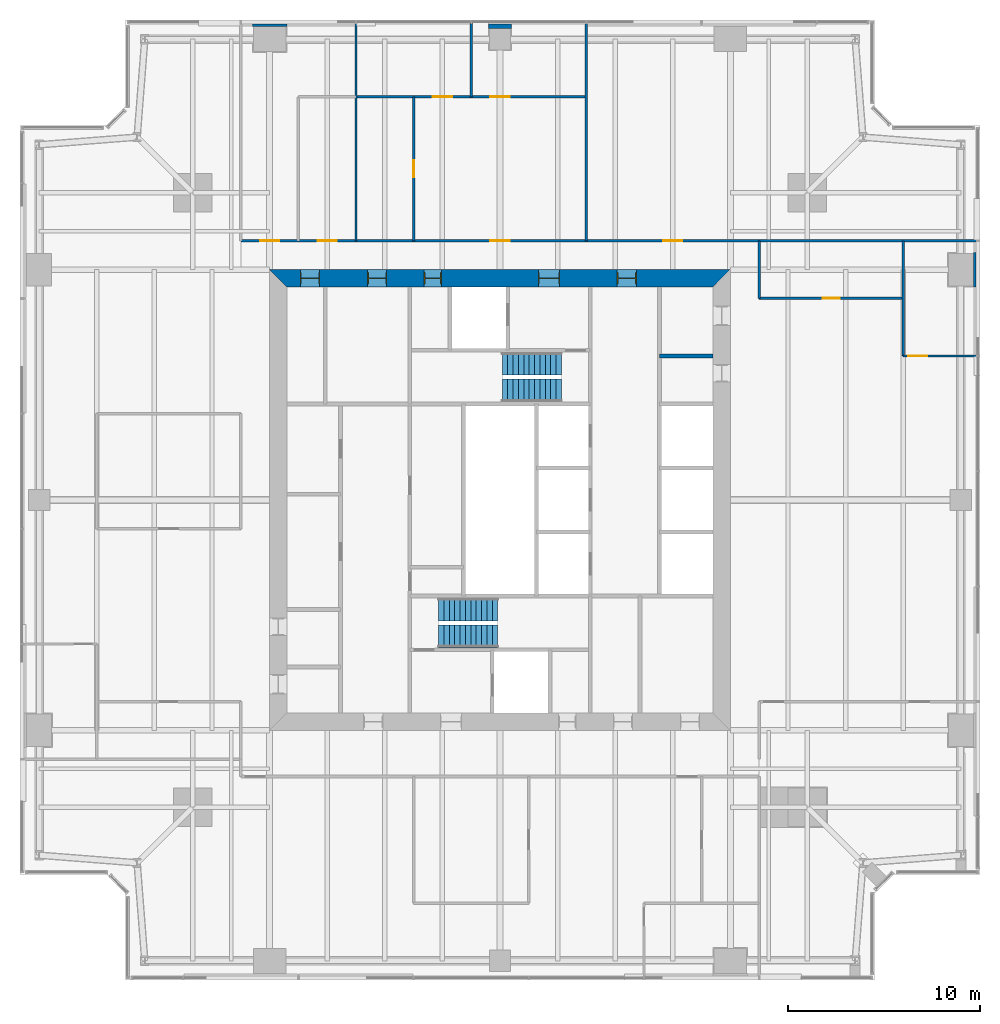
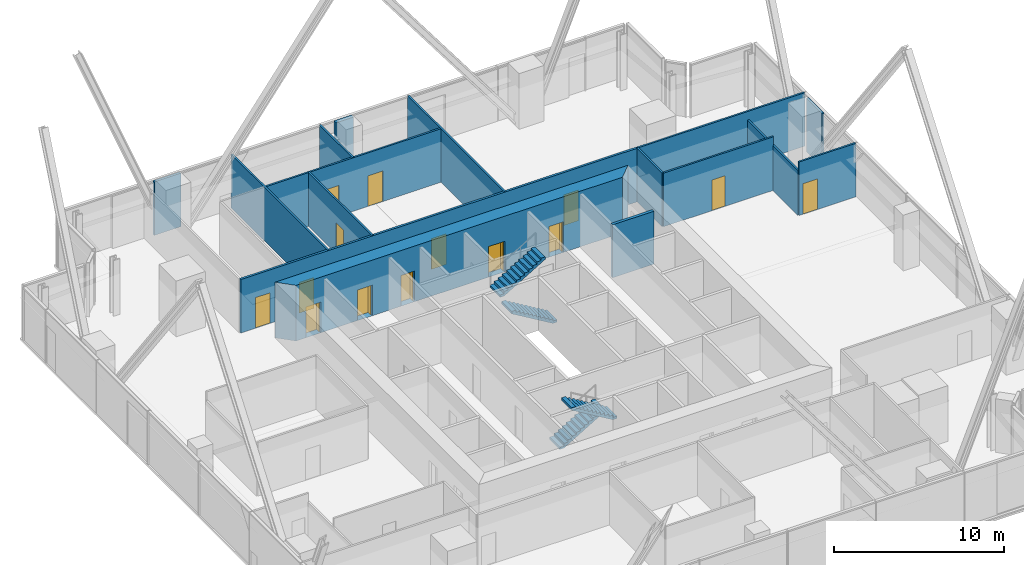
# One storey, part 11 of 13: 16 walls, 14 doors, 4 stair flights, 14 openings, 2 elements without a shape of their own.
"""IFC4 building model written with IfcOpenShell, lengths in metres."""

import ifcopenshell
import ifcopenshell.guid

model = None  # the IFC model being written
_history = None  # IfcOwnerHistory: only IFC2X3 demands one
_inside = {}  # id of a spatial element -> (the spatial element, [elements in it])
_under = {}  # id of a project, library or spatial element -> (it, [spatial elements below it])
_declared = {}  # id of a project -> (the project, [libraries it declares])
_typed = {}  # id of a type object -> (the type object, [elements of that type])
_made_of = {}  # id of a material, layer set ... -> (it, [elements and type objects made of it])


def new_model(schema):
    """Start an empty IFC model of exactly this schema.

    Asked for "IFC4X3", IfcOpenShell would pick the latest addendum, in which some entities
    have other attributes; the version numbers below select the first issue.
    IFC2X3 requires an IfcOwnerHistory on every rooted entity: one is made here for all.
    """
    global model, _history
    if schema == "IFC4X3":
        model = ifcopenshell.file(schema_version=(4, 3, 0, 0))
    else:
        model = ifcopenshell.file(schema=schema)
    _inside.clear()
    _under.clear()
    _declared.clear()
    _typed.clear()
    _made_of.clear()
    _history = None
    if model.schema == "IFC2X3":
        org = make("IfcOrganization", Name="unknown")
        user = make(
            "IfcPersonAndOrganization",
            ThePerson=make("IfcPerson", FamilyName="unknown"),
            TheOrganization=org,
        )
        app = make(
            "IfcApplication",
            ApplicationDeveloper=org,
            Version="unknown",
            ApplicationFullName="unknown",
            ApplicationIdentifier="unknown",
        )
        _history = make(
            "IfcOwnerHistory",
            OwningUser=user,
            OwningApplication=app,
            ChangeAction="ADDED",
            CreationDate=0,
        )
    return model


def make(cls, **values):
    """One entity of the class cls with the attributes given. An attribute that is None is left unset."""
    return model.create_entity(
        cls, **{name: value for name, value in values.items() if value is not None}
    )


def rooted(cls, **values):
    """An entity with a GlobalId (a new one), such as an element, a storey or a relation."""
    return make(cls, GlobalId=ifcopenshell.guid.new(), OwnerHistory=_history, **values)


def si_unit(unit_type, name, prefix=None):
    """IfcSIUnit, for example si_unit("LENGTHUNIT", "METRE", prefix="MILLI")."""
    return make("IfcSIUnit", UnitType=unit_type, Prefix=prefix, Name=name)


def assignment(units):
    """IfcUnitAssignment: the units of a project."""
    return None if units is None else make("IfcUnitAssignment", Units=units)


def point(xyz):
    """IfcCartesianPoint."""
    return None if xyz is None else make("IfcCartesianPoint", Coordinates=xyz)


def direction(xyz):
    """IfcDirection."""
    return None if xyz is None else make("IfcDirection", DirectionRatios=xyz)


def frame(location, z_axis=None, x_axis=None):
    """IfcAxis2Placement3D, a coordinate frame: its origin and axes. An axis left out is left unset."""
    return make(
        "IfcAxis2Placement3D",
        Location=point(location),
        Axis=direction(z_axis),
        RefDirection=direction(x_axis),
    )


def frame_2d(location, x_axis=None):
    """IfcAxis2Placement2D, a coordinate frame in the plane: its origin and x axis."""
    return make(
        "IfcAxis2Placement2D", Location=point(location), RefDirection=direction(x_axis)
    )


def origin():
    """The frame at (0, 0, 0) with its axes left unset."""
    return frame((0.0, 0.0, 0.0))


def place(relative_to, where):
    """IfcLocalPlacement: puts the frame where relative to a parent placement (None: the world)."""
    return make(
        "IfcLocalPlacement", PlacementRelTo=relative_to, RelativePlacement=where
    )


def context(
    kind, dimensions, precision=None, world=None, true_north=None, identifier=None
):
    """IfcGeometricRepresentationContext, for example the 3D "Model" context."""
    return make(
        "IfcGeometricRepresentationContext",
        ContextIdentifier=identifier,
        ContextType=kind,
        CoordinateSpaceDimension=dimensions,
        Precision=precision,
        WorldCoordinateSystem=world,
        TrueNorth=true_north,
    )


def subcontext(parent, identifier, kind, view, scale=None):
    """IfcGeometricRepresentationSubContext, for example "Body" below "Model"."""
    return make(
        "IfcGeometricRepresentationSubContext",
        ContextIdentifier=identifier,
        ContextType=kind,
        ParentContext=parent,
        TargetScale=scale,
        TargetView=view,
    )


def project(units=None, contexts=None):
    """IfcProject with its units and contexts."""
    return rooted(
        "IfcProject",
        Name="project",
        RepresentationContexts=contexts,
        UnitsInContext=assignment(units),
    )


def spatial(cls, under=None, at=None, **own):
    """A site, building, storey or space (cls), placed at a placement, below another one or the project."""
    s = rooted(cls, ObjectPlacement=at, **own)
    if under is not None:
        _under.setdefault(under.id(), (under, []))[1].append(s)
    return s


def polyline(points):
    """IfcPolyline through the points."""
    return make("IfcPolyline", Points=[point(p) for p in points])


def profile(cls, at=None, kind="AREA", **sizes):
    """A parametric profile (cls). Its sizes go by their IFC names, for example OverallWidth=200.0."""
    return make(cls, ProfileType=kind, Position=at, **sizes)


def rectangle(**sizes):
    """IfcRectangleProfileDef."""
    return profile("IfcRectangleProfileDef", **sizes)


def outline(outer, holes=None, kind="AREA"):
    """IfcArbitraryClosedProfileDef: a profile drawn as a closed curve; with holes, ...WithVoids."""
    if holes is None:
        return make("IfcArbitraryClosedProfileDef", ProfileType=kind, OuterCurve=outer)
    return make(
        "IfcArbitraryProfileDefWithVoids",
        ProfileType=kind,
        OuterCurve=outer,
        InnerCurves=holes,
    )


def extrude(swept, where, along, depth):
    """IfcExtrudedAreaSolid: the profile swept, set in the frame where, extruded along a direction by depth."""
    return make(
        "IfcExtrudedAreaSolid",
        SweptArea=swept,
        Position=where,
        ExtrudedDirection=direction(along),
        Depth=depth,
    )


def shape(context_of_items, identifier, shape_type, items):
    """IfcShapeRepresentation: the items that make up one representation, for example the "Body"."""
    return make(
        "IfcShapeRepresentation",
        ContextOfItems=context_of_items,
        RepresentationIdentifier=identifier,
        RepresentationType=shape_type,
        Items=items,
    )


def material(Name=None, Category=None):
    """IfcMaterial."""
    return make("IfcMaterial", Name=Name, Category=Category)


def layer(
    of_material, thickness, ventilated=None, Name=None, Category=None, Priority=None
):
    """IfcMaterialLayer: one layer of a wall or slab, of a material (None: an air gap)."""
    return make(
        "IfcMaterialLayer",
        Material=of_material,
        LayerThickness=thickness,
        IsVentilated=ventilated,
        Name=Name,
        Category=Category,
        Priority=Priority,
    )


def layer_set(layers, Name=None):
    """IfcMaterialLayerSet."""
    return make("IfcMaterialLayerSet", MaterialLayers=layers, LayerSetName=Name)


def made_of(thing, what):
    """Note that an element or type object is made of a material, layer set ...; save() writes the relation."""
    if what is not None:
        _made_of.setdefault(what.id(), (what, []))[1].append(thing)
    return thing


def type_object(cls, material=None, **own):
    """A type object (cls), such as IfcWallType, which elements share."""
    return made_of(rooted(cls, **own), material)


def element(
    cls,
    number,
    at=None,
    inside=None,
    cuts=None,
    type_object=None,
    material=None,
    context=None,
    identifier="Body",
    shape_type=None,
    held_by="IfcProductDefinitionShape",
    body=None,
    shapes=None,
    **own,
):
    """One element of the class cls, such as IfcWall. Its Tag is "e" and its number.

    at: its placement. inside: the storey or other place that contains it. cuts: it is an
    opening in that element (IfcRelVoidsElement). A single representation is given by context,
    identifier, shape_type and body (its items); several are given by shapes. held_by: the class
    of the entity that holds the representations. save() writes the other relations.
    """
    e = rooted(cls, Tag="e%d" % number, ObjectPlacement=at, **own)
    if body is not None:
        shapes = [shape(context, identifier, shape_type, body)]
    if shapes is not None:
        e.Representation = make(held_by, Representations=shapes)
    if inside is not None:
        _inside.setdefault(inside.id(), (inside, []))[1].append(e)
    if cuts is not None:
        rooted(
            "IfcRelVoidsElement", RelatingBuildingElement=cuts, RelatedOpeningElement=e
        )
    if type_object is not None:
        _typed.setdefault(type_object.id(), (type_object, []))[1].append(e)
    return made_of(e, material)


def fill(opening, filler):
    """IfcRelFillsElement: the door or window that sits in an opening."""
    return rooted(
        "IfcRelFillsElement",
        RelatingOpeningElement=opening,
        RelatedBuildingElement=filler,
    )


def aggregate(whole, parts):
    """IfcRelAggregates: a whole, such as a stair, and the parts it consists of."""
    return rooted("IfcRelAggregates", RelatingObject=whole, RelatedObjects=parts)


def save(model, path):
    """Write the relations noted so far, then the file.

    IfcRelAggregates (storeys below a building ...), IfcRelContainedInSpatialStructure (elements
    in a storey), IfcRelDefinesByType, IfcRelAssociatesMaterial and IfcRelDeclares: one each for
    every whole, place, type object, material and project.
    """
    for whole, parts in _under.values():
        aggregate(whole, parts)
    for where, things in _inside.values():
        rooted(
            "IfcRelContainedInSpatialStructure",
            RelatedElements=things,
            RelatingStructure=where,
        )
    for kind, things in _typed.values():
        rooted("IfcRelDefinesByType", RelatedObjects=things, RelatingType=kind)
    for what, things in _made_of.values():
        rooted("IfcRelAssociatesMaterial", RelatedObjects=things, RelatingMaterial=what)
    for by, libraries in _declared.values():
        rooted("IfcRelDeclares", RelatingContext=by, RelatedDefinitions=libraries)
    model.write(path)


model = new_model("IFC4")

# Units and contexts
model_context = context("Model", 3, precision=1e-05, world=origin(), true_north=direction((0.0, 1.0)))
body_context = subcontext(model_context, "Body", "Model", "MODEL_VIEW")
ifc_project = project(units=[si_unit("LENGTHUNIT", "METRE"), si_unit("AREAUNIT", "SQUARE_METRE"), si_unit("VOLUMEUNIT", "CUBIC_METRE"), si_unit("PLANEANGLEUNIT", "RADIAN"), si_unit("MASSUNIT", "GRAM", prefix="KILO")], contexts=[model_context])

# Site, building, storey
site_placement = place(None, origin())
site = spatial("IfcSite", under=ifc_project, at=site_placement, CompositionType="ELEMENT")
building_placement = place(site_placement, origin())
building = spatial("IfcBuilding", under=site, at=building_placement, Name="Fenwick Lantern Interchange", CompositionType="ELEMENT")
storey_placement = place(building_placement, frame((0.0, 0.0, 201.800048828125)))
storey = spatial("IfcBuildingStorey", under=building, at=storey_placement, Name="L47", CompositionType="ELEMENT", Elevation=201.800048828125)

# Walls
ifc_material_1 = material(Name="Fire-rated gypsum board encasement on steel studs, 2 hour", Category="steel")
ifc_layer_1 = layer(ifc_material_1, 1.199951171875)
ifc_layer_set_1 = layer_set([ifc_layer_1], Name="COLUMN PIER 1200")
wall_type_1 = type_object("IfcWallType", Name="COLUMN PIER 1200", PredefinedType="PARTITIONING", material=ifc_layer_set_1)
wall_1_placement = place(storey_placement, frame((25.0, 49.800048828125, 0.0), z_axis=(0.0, 0.0, 1.0), x_axis=(0.0, -1.0, 0.0)))
element("IfcWall", 1, at=wall_1_placement, inside=storey, type_object=wall_type_1, Name="L47/W/PIER/CN3", PredefinedType="PARTITIONING", context=body_context, shape_type="SweptSolid", body=[
    extrude(rectangle(XDim=0.25, YDim=1.199951171875, at=frame_2d((0.125, 0.0))), origin(), (0.0, 0.0, 1.0), 3.849853515625),
])
ifc_layer_2 = layer(ifc_material_1, 1.800048828125)
ifc_layer_set_2 = layer_set([ifc_layer_2], Name="COLUMN PIER 1800")
wall_type_2 = type_object("IfcWallType", Name="COLUMN PIER 1800", PredefinedType="PARTITIONING", material=ifc_layer_set_2)
for number, where, z_axis, x_axis, name in (
    (2, (49.800048828125, 37.0, 0.0), (0.0, 0.0, 1.0), (-1.0, 0.0, 0.0), "L47/W/PIER/CE4"),
    (3, (13.0, 49.800048828125, 0.0), (0.0, 0.0, 1.0), (0.0, -1.0, 0.0), "L47/W/PIER/CN4"),
):
    element("IfcWall", number, at=place(storey_placement, frame(where, z_axis=z_axis, x_axis=x_axis)), inside=storey, type_object=wall_type_2, Name=name, PredefinedType="PARTITIONING", context=body_context, shape_type="SweptSolid", body=[
        extrude(rectangle(XDim=0.150146484375, YDim=1.800048828125, at=frame_2d((0.0751953125, 0.0))), origin(), (0.0, 0.0, 1.0), 3.849853515625),
    ])
ifc_material_2 = material(Name="Concrete masonry ASTM C90 Grade N", Category="masonry")
ifc_layer_3 = layer(ifc_material_2, 0.199951171875)
ifc_layer_set_3 = layer_set([ifc_layer_3], Name="Concrete masonry ASTM C90 Grade N")
wall_type_3 = type_object("IfcWallType", Name="CORE PARTITION 200", PredefinedType="PARTITIONING", material=ifc_layer_set_3)
wall_2_placement = place(storey_placement, frame((36.10009765625, 32.5, 0.0), z_axis=(0.0, 0.0, 1.0), x_axis=(-1.0, 0.0, 0.0)))
element("IfcWall", 4, at=wall_2_placement, inside=storey, type_object=wall_type_3, Name="L47/W/COREN/p1", PredefinedType="PARTITIONING", context=body_context, shape_type="SweptSolid", body=[
    extrude(rectangle(XDim=2.800048828125, YDim=0.199951171875, at=frame_2d((1.39990234375, 0.0))), origin(), (0.0, 0.0, 1.0), 3.800048828125),
])

# Wall, openings, doors
ifc_material_3 = material(Name="Concrete f'c 70 MPa", Category="concrete")
ifc_layer_4 = layer(ifc_material_3, 0.89990234375)
ifc_layer_set_4 = layer_set([ifc_layer_4], Name="CORE WALL 900")
wall_type_4 = type_object("IfcWallType", Name="CORE WALL 900", PredefinedType="SHEAR", material=ifc_layer_set_4)
wall_3_placement = place(storey_placement, frame((37.0, 36.550048828125, 0.0), z_axis=(0.0, 0.0, 1.0), x_axis=(-1.0, 0.0, 0.0)))
wall_3 = element("IfcWall", 5, at=wall_3_placement, inside=storey, type_object=wall_type_4, Name="L47/CORE/N", PredefinedType="SHEAR", context=body_context, shape_type="SweptSolid", body=[
    extrude(outline(polyline([(0.0, -0.449951171875), (24.0, -0.449951171875), (23.10009765625, 0.449951171875), (0.89990234375, 0.449951171875), (0.0, -0.449951171875)])), origin(), (0.0, 0.0, 1.0), 4.0),
])
opening_1_placement = place(wall_3_placement, frame((4.89990234375, 0.0, 0.0)))
opening_1 = element("IfcOpeningElement", 6, at=opening_1_placement, cuts=wall_3, Name="Opening L47-D013", PredefinedType="OPENING", context=body_context, shape_type="SweptSolid", body=[
    extrude(rectangle(XDim=1.0, YDim=2.199951171875, at=frame_2d((0.5, 1.10009765625))), frame((0.0, 0.4599609375, 0.0), z_axis=(0.0, -1.0, 0.0), x_axis=(1.0, 0.0, 0.0)), (0.0, 0.0, 1.0), 0.919921875),
])
opening_2_placement = place(wall_3_placement, frame((8.89990234375, 0.0, 0.0)))
opening_2 = element("IfcOpeningElement", 7, at=opening_2_placement, cuts=wall_3, Name="Opening L47-D014", PredefinedType="OPENING", context=body_context, shape_type="SweptSolid", body=[
    extrude(rectangle(XDim=1.10009765625, YDim=2.199951171875, at=frame_2d((0.550048828125, 1.10009765625))), frame((0.0, 0.4599609375, 0.0), z_axis=(0.0, -1.0, 0.0), x_axis=(1.0, 0.0, 0.0)), (0.0, 0.0, 1.0), 0.919921875),
])
opening_3_placement = place(wall_3_placement, frame((15.050048828125, 0.0, 0.0)))
opening_3 = element("IfcOpeningElement", 8, at=opening_3_placement, cuts=wall_3, Name="Opening L47-D016", PredefinedType="OPENING", context=body_context, shape_type="SweptSolid", body=[
    extrude(rectangle(XDim=0.89990234375, YDim=2.199951171875, at=frame_2d((0.449951171875, 1.10009765625))), frame((0.0, 0.4599609375, 0.0), z_axis=(0.0, -1.0, 0.0), x_axis=(1.0, 0.0, 0.0)), (0.0, 0.0, 1.0), 0.919921875),
])
opening_4_placement = place(wall_3_placement, frame((17.89990234375, 0.0, 0.0)))
opening_4 = element("IfcOpeningElement", 9, at=opening_4_placement, cuts=wall_3, Name="Opening L47-D017", PredefinedType="OPENING", context=body_context, shape_type="SweptSolid", body=[
    extrude(rectangle(XDim=1.0, YDim=2.199951171875, at=frame_2d((0.5, 1.10009765625))), frame((0.0, 0.4599609375, 0.0), z_axis=(0.0, -1.0, 0.0), x_axis=(1.0, 0.0, 0.0)), (0.0, 0.0, 1.0), 0.919921875),
])
opening_5_placement = place(wall_3_placement, frame((21.39990234375, 0.0, 0.0)))
opening_5 = element("IfcOpeningElement", 10, at=opening_5_placement, cuts=wall_3, Name="Opening L47-D018", PredefinedType="OPENING", context=body_context, shape_type="SweptSolid", body=[
    extrude(rectangle(XDim=1.0, YDim=2.199951171875, at=frame_2d((0.5, 1.10009765625))), frame((0.0, 0.4599609375, 0.0), z_axis=(0.0, -1.0, 0.0), x_axis=(1.0, 0.0, 0.0)), (0.0, 0.0, 1.0), 0.919921875),
])
ifc_material_4 = material(Name="Steel door and frame", Category="steel")
door_type_1 = type_object("IfcDoorType", Name="CORE LOBBY DOOR 1000 X 2200", OperationType="SINGLE_SWING_LEFT", PredefinedType="DOOR", material=ifc_material_4)
door_1_placement = place(opening_1_placement, origin())
door_1 = element("IfcDoor", 11, at=door_1_placement, inside=storey, type_object=door_type_1, Name="Core lobby door", OperationType="SINGLE_SWING_LEFT", OverallHeight=2.199951171875, OverallWidth=1.0, PredefinedType="DOOR", context=body_context, shape_type="SweptSolid", body=[
    extrude(rectangle(XDim=1.0, YDim=2.199951171875, at=frame_2d((0.5, 1.10009765625))), frame((0.0, 0.02490234375, 0.0), z_axis=(0.0, -1.0, 0.0), x_axis=(1.0, 0.0, 0.0)), (0.0, 0.0, 1.0), 0.050048828125),
    extrude(outline(polyline([(0.0, 0.0), (0.0400390625, 0.0), (0.0400390625, 2.159912109375), (0.9599609375, 2.159912109375), (0.9599609375, 0.0), (1.0, 0.0), (1.0, 2.199951171875), (0.0, 2.199951171875), (0.0, 0.0)])), frame((0.0, 0.300048828125, 0.0), z_axis=(0.0, -1.0, 0.0), x_axis=(1.0, 0.0, 0.0)), (0.0, 0.0, 1.0), 0.60009765625),
])
fill(opening_1, door_1)
door_type_2 = type_object("IfcDoorType", Name="FIRE LOBBY DOOR 1100 X 2200", OperationType="SINGLE_SWING_LEFT", PredefinedType="DOOR", material=ifc_material_4)
door_2_placement = place(opening_2_placement, origin())
door_2 = element("IfcDoor", 12, at=door_2_placement, inside=storey, type_object=door_type_2, Name="Fire lobby door", OperationType="SINGLE_SWING_LEFT", OverallHeight=2.199951171875, OverallWidth=1.10009765625, PredefinedType="DOOR", context=body_context, shape_type="SweptSolid", body=[
    extrude(rectangle(XDim=1.10009765625, YDim=2.199951171875, at=frame_2d((0.550048828125, 1.10009765625))), frame((0.0, 0.02490234375, 0.0), z_axis=(0.0, -1.0, 0.0), x_axis=(1.0, 0.0, 0.0)), (0.0, 0.0, 1.0), 0.050048828125),
    extrude(outline(polyline([(0.0, 0.0), (0.0400390625, 0.0), (0.0400390625, 2.159912109375), (1.06005859375, 2.159912109375), (1.06005859375, 0.0), (1.10009765625, 0.0), (1.10009765625, 2.199951171875), (0.0, 2.199951171875), (0.0, 0.0)])), frame((0.0, 0.300048828125, 0.0), z_axis=(0.0, -1.0, 0.0), x_axis=(1.0, 0.0, 0.0)), (0.0, 0.0, 1.0), 0.60009765625),
])
fill(opening_2, door_2)
door_type_3 = type_object("IfcDoorType", Name="SERVICE DOOR 900 X 2200", OperationType="SINGLE_SWING_LEFT", PredefinedType="DOOR", material=ifc_material_4)
door_3_placement = place(opening_3_placement, origin())
door_3 = element("IfcDoor", 13, at=door_3_placement, inside=storey, type_object=door_type_3, Name="Service door", OperationType="SINGLE_SWING_LEFT", OverallHeight=2.199951171875, OverallWidth=0.89990234375, PredefinedType="DOOR", context=body_context, shape_type="SweptSolid", body=[
    extrude(rectangle(XDim=0.89990234375, YDim=2.199951171875, at=frame_2d((0.449951171875, 1.10009765625))), frame((0.0, 0.02490234375, 0.0), z_axis=(0.0, -1.0, 0.0), x_axis=(1.0, 0.0, 0.0)), (0.0, 0.0, 1.0), 0.050048828125),
    extrude(outline(polyline([(0.0, 0.0), (0.0400390625, 0.0), (0.0400390625, 2.159912109375), (0.85986328125, 2.159912109375), (0.85986328125, 0.0), (0.89990234375, 0.0), (0.89990234375, 2.199951171875), (0.0, 2.199951171875), (0.0, 0.0)])), frame((0.0, 0.300048828125, 0.0), z_axis=(0.0, -1.0, 0.0), x_axis=(1.0, 0.0, 0.0)), (0.0, 0.0, 1.0), 0.60009765625),
])
fill(opening_3, door_3)
ifc_material_5 = material(Name="Hardwood door and steel frame", Category="steel")
door_type_4 = type_object("IfcDoorType", Name="WC DOOR 1000 X 2200", OperationType="SINGLE_SWING_LEFT", PredefinedType="DOOR", material=ifc_material_5)
door_4_placement = place(opening_4_placement, origin())
door_4 = element("IfcDoor", 14, at=door_4_placement, inside=storey, type_object=door_type_4, Name="Wc door", OperationType="SINGLE_SWING_LEFT", OverallHeight=2.199951171875, OverallWidth=1.0, PredefinedType="DOOR", context=body_context, shape_type="SweptSolid", body=[
    extrude(rectangle(XDim=1.0, YDim=2.199951171875, at=frame_2d((0.5, 1.10009765625))), frame((0.0, 0.02490234375, 0.0), z_axis=(0.0, -1.0, 0.0), x_axis=(1.0, 0.0, 0.0)), (0.0, 0.0, 1.0), 0.050048828125),
    extrude(outline(polyline([(0.0, 0.0), (0.0400390625, 0.0), (0.0400390625, 2.159912109375), (0.9599609375, 2.159912109375), (0.9599609375, 0.0), (1.0, 0.0), (1.0, 2.199951171875), (0.0, 2.199951171875), (0.0, 0.0)])), frame((0.0, 0.300048828125, 0.0), z_axis=(0.0, -1.0, 0.0), x_axis=(1.0, 0.0, 0.0)), (0.0, 0.0, 1.0), 0.60009765625),
])
fill(opening_4, door_4)
door_5_placement = place(opening_5_placement, origin())
door_5 = element("IfcDoor", 15, at=door_5_placement, inside=storey, type_object=door_type_4, Name="Wc door", OperationType="SINGLE_SWING_LEFT", OverallHeight=2.199951171875, OverallWidth=1.0, PredefinedType="DOOR", context=body_context, shape_type="SweptSolid", body=[
    extrude(rectangle(XDim=1.0, YDim=2.199951171875, at=frame_2d((0.5, 1.10009765625))), frame((0.0, 0.02490234375, 0.0), z_axis=(0.0, -1.0, 0.0), x_axis=(1.0, 0.0, 0.0)), (0.0, 0.0, 1.0), 0.050048828125),
    extrude(outline(polyline([(0.0, 0.0), (0.0400390625, 0.0), (0.0400390625, 2.159912109375), (0.9599609375, 2.159912109375), (0.9599609375, 0.0), (1.0, 0.0), (1.0, 2.199951171875), (0.0, 2.199951171875), (0.0, 0.0)])), frame((0.0, 0.300048828125, 0.0), z_axis=(0.0, -1.0, 0.0), x_axis=(1.0, 0.0, 0.0)), (0.0, 0.0, 1.0), 0.60009765625),
])
fill(opening_5, door_5)

ifc_material_6 = material(Name="Gypsum board on steel studs, 1 hour", Category="steel")
ifc_layer_5 = layer(ifc_material_6, 0.14990234375)
ifc_layer_set_5 = layer_set([ifc_layer_5], Name="CORRIDOR WALL 150")
wall_type_5 = type_object("IfcWallType", Name="CORRIDOR WALL 150", PredefinedType="PARTITIONING", material=ifc_layer_set_5)
wall_4_placement = place(storey_placement, frame((38.5, 38.5, 0.0), z_axis=(0.0, 0.0, 1.0), x_axis=(-1.0, 0.0, 0.0)))
wall_4 = element("IfcWall", 16, at=wall_4_placement, inside=storey, type_object=wall_type_5, Name="L47/W/OFF/N/CW", PredefinedType="PARTITIONING", context=body_context, shape_type="SweptSolid", body=[
    extrude(rectangle(XDim=27.0, YDim=0.14990234375, at=frame_2d((13.5, 0.0))), origin(), (0.0, 0.0, 1.0), 3.849853515625),
])
opening_6_placement = place(wall_4_placement, frame((13.0, 0.0, 0.0)))
opening_6 = element("IfcOpeningElement", 17, at=opening_6_placement, cuts=wall_4, Name="Opening L47-D030", PredefinedType="OPENING", context=body_context, shape_type="SweptSolid", body=[
    extrude(rectangle(XDim=1.0, YDim=2.199951171875, at=frame_2d((0.5, 1.10009765625))), frame((0.0, 0.0849609375, 0.0), z_axis=(0.0, -1.0, 0.0), x_axis=(1.0, 0.0, 0.0)), (0.0, 0.0, 1.0), 0.169921875),
])
opening_7_placement = place(wall_4_placement, frame((4.0, 0.0, 0.0)))
opening_7 = element("IfcOpeningElement", 18, at=opening_7_placement, cuts=wall_4, Name="Opening L47-D034", PredefinedType="OPENING", context=body_context, shape_type="SweptSolid", body=[
    extrude(rectangle(XDim=1.0, YDim=2.199951171875, at=frame_2d((0.5, 1.10009765625))), frame((0.0, 0.0849609375, 0.0), z_axis=(0.0, -1.0, 0.0), x_axis=(1.0, 0.0, 0.0)), (0.0, 0.0, 1.0), 0.169921875),
])
opening_8_placement = place(wall_4_placement, frame((22.0, 0.0, 0.0)))
opening_8 = element("IfcOpeningElement", 19, at=opening_8_placement, cuts=wall_4, Name="Opening L47-D035", PredefinedType="OPENING", context=body_context, shape_type="SweptSolid", body=[
    extrude(rectangle(XDim=1.0, YDim=2.199951171875, at=frame_2d((0.5, 1.10009765625))), frame((0.0, 0.0849609375, 0.0), z_axis=(0.0, -1.0, 0.0), x_axis=(1.0, 0.0, 0.0)), (0.0, 0.0, 1.0), 0.169921875),
])
opening_9_placement = place(wall_4_placement, frame((25.0, 0.0, 0.0)))
opening_9 = element("IfcOpeningElement", 20, at=opening_9_placement, cuts=wall_4, Name="Opening L47-D036", PredefinedType="OPENING", context=body_context, shape_type="SweptSolid", body=[
    extrude(rectangle(XDim=1.0, YDim=2.199951171875, at=frame_2d((0.5, 1.10009765625))), frame((0.0, 0.0849609375, 0.0), z_axis=(0.0, -1.0, 0.0), x_axis=(1.0, 0.0, 0.0)), (0.0, 0.0, 1.0), 0.169921875),
])
door_type_5 = type_object("IfcDoorType", Name="SUITE ENTRANCE DOOR 1000 X 2200", OperationType="SINGLE_SWING_LEFT", PredefinedType="DOOR", material=ifc_material_4)
door_6_placement = place(opening_6_placement, frame((1.0, 0.0, 0.0), z_axis=(0.0, 0.0, 1.0), x_axis=(-1.0, 0.0, 0.0)))
door_6 = element("IfcDoor", 21, at=door_6_placement, inside=storey, type_object=door_type_5, Name="Suite entrance door", OperationType="SINGLE_SWING_RIGHT", OverallHeight=2.199951171875, OverallWidth=1.0, PredefinedType="DOOR", context=body_context, shape_type="SweptSolid", body=[
    extrude(rectangle(XDim=1.0, YDim=2.199951171875, at=frame_2d((0.5, 1.10009765625))), frame((0.0, 0.02490234375, 0.0), z_axis=(0.0, -1.0, 0.0), x_axis=(1.0, 0.0, 0.0)), (0.0, 0.0, 1.0), 0.050048828125),
])
fill(opening_6, door_6)
door_7_placement = place(opening_7_placement, frame((1.0, 0.0, 0.0), z_axis=(0.0, 0.0, 1.0), x_axis=(-1.0, 0.0, 0.0)))
door_7 = element("IfcDoor", 22, at=door_7_placement, inside=storey, type_object=door_type_5, Name="Suite entrance door", OperationType="SINGLE_SWING_LEFT", OverallHeight=2.199951171875, OverallWidth=1.0, PredefinedType="DOOR", context=body_context, shape_type="SweptSolid", body=[
    extrude(rectangle(XDim=1.0, YDim=2.199951171875, at=frame_2d((0.5, 1.10009765625))), frame((0.0, 0.02490234375, 0.0), z_axis=(0.0, -1.0, 0.0), x_axis=(1.0, 0.0, 0.0)), (0.0, 0.0, 1.0), 0.050048828125),
])
fill(opening_7, door_7)
door_8_placement = place(opening_8_placement, frame((1.0, 0.0, 0.0), z_axis=(0.0, 0.0, 1.0), x_axis=(-1.0, 0.0, 0.0)))
door_8 = element("IfcDoor", 23, at=door_8_placement, inside=storey, type_object=door_type_5, Name="Suite entrance door", OperationType="SINGLE_SWING_RIGHT", OverallHeight=2.199951171875, OverallWidth=1.0, PredefinedType="DOOR", context=body_context, shape_type="SweptSolid", body=[
    extrude(rectangle(XDim=1.0, YDim=2.199951171875, at=frame_2d((0.5, 1.10009765625))), frame((0.0, 0.02490234375, 0.0), z_axis=(0.0, -1.0, 0.0), x_axis=(1.0, 0.0, 0.0)), (0.0, 0.0, 1.0), 0.050048828125),
])
fill(opening_8, door_8)
door_9_placement = place(opening_9_placement, frame((1.0, 0.0, 0.0), z_axis=(0.0, 0.0, 1.0), x_axis=(-1.0, 0.0, 0.0)))
door_9 = element("IfcDoor", 24, at=door_9_placement, inside=storey, type_object=door_type_5, Name="Suite entrance door", OperationType="SINGLE_SWING_RIGHT", OverallHeight=2.199951171875, OverallWidth=1.0, PredefinedType="DOOR", context=body_context, shape_type="SweptSolid", body=[
    extrude(rectangle(XDim=1.0, YDim=2.199951171875, at=frame_2d((0.5, 1.10009765625))), frame((0.0, 0.02490234375, 0.0), z_axis=(0.0, -1.0, 0.0), x_axis=(1.0, 0.0, 0.0)), (0.0, 0.0, 1.0), 0.050048828125),
])
fill(opening_9, door_9)

# Wall, opening, door
ifc_material_7 = material(Name="Gypsum board on steel studs, acoustic", Category="steel")
ifc_layer_6 = layer(ifc_material_7, 0.125)
ifc_layer_set_6 = layer_set([ifc_layer_6], Name="OFFICE PARTITION 125")
wall_type_6 = type_object("IfcWallType", Name="OFFICE PARTITION 125", PredefinedType="PARTITIONING", material=ifc_layer_set_6)
wall_5_placement = place(storey_placement, frame((49.85009765625, 32.5, 0.0), z_axis=(0.0, 0.0, 1.0), x_axis=(-1.0, 0.0, 0.0)))
wall_5 = element("IfcWall", 25, at=wall_5_placement, inside=storey, type_object=wall_type_6, Name="L47/W/OFF/E/X325-1", PredefinedType="PARTITIONING", context=body_context, shape_type="SweptSolid", body=[
    extrude(rectangle(XDim=3.85009765625, YDim=0.125, at=frame_2d((1.925048828125, 0.0))), origin(), (0.0, 0.0, 1.0), 3.849853515625),
])
opening_10_placement = place(wall_5_placement, frame((2.60009765625, 0.0, 0.0)))
opening_10 = element("IfcOpeningElement", 26, at=opening_10_placement, cuts=wall_5, Name="Opening L47-D028", PredefinedType="OPENING", context=body_context, shape_type="SweptSolid", body=[
    extrude(rectangle(XDim=1.0, YDim=2.199951171875, at=frame_2d((0.5, 1.10009765625))), frame((0.0, 0.072509765625, 0.0), z_axis=(0.0, -1.0, 0.0), x_axis=(1.0, 0.0, 0.0)), (0.0, 0.0, 1.0), 0.14501953125),
])
door_type_6 = type_object("IfcDoorType", Name="MEETING ROOM DOOR 1000 X 2200", OperationType="SINGLE_SWING_LEFT", PredefinedType="DOOR", material=ifc_material_5)
door_10_placement = place(opening_10_placement, frame((1.0, 0.0, 0.0), z_axis=(0.0, 0.0, 1.0), x_axis=(-1.0, 0.0, 0.0)))
door_10 = element("IfcDoor", 27, at=door_10_placement, inside=storey, type_object=door_type_6, Name="Meeting room door", OperationType="SINGLE_SWING_LEFT", OverallHeight=2.199951171875, OverallWidth=1.0, PredefinedType="DOOR", context=body_context, shape_type="SweptSolid", body=[
    extrude(rectangle(XDim=1.0, YDim=2.199951171875, at=frame_2d((0.5, 1.10009765625))), frame((0.0, 0.02490234375, 0.0), z_axis=(0.0, -1.0, 0.0), x_axis=(1.0, 0.0, 0.0)), (0.0, 0.0, 1.0), 0.050048828125),
])
fill(opening_10, door_10)

wall_6_placement = place(storey_placement, frame((46.0, 35.5, 0.0), z_axis=(0.0, 0.0, 1.0), x_axis=(-1.0, 0.0, 0.0)))
wall_6 = element("IfcWall", 28, at=wall_6_placement, inside=storey, type_object=wall_type_6, Name="L47/W/OFF/E/X355-1", PredefinedType="PARTITIONING", context=body_context, shape_type="SweptSolid", body=[
    extrude(rectangle(XDim=7.5, YDim=0.125, at=frame_2d((3.75, 0.0))), origin(), (0.0, 0.0, 1.0), 3.849853515625),
])
opening_11_placement = place(wall_6_placement, frame((3.300048828125, 0.0, 0.0)))
opening_11 = element("IfcOpeningElement", 29, at=opening_11_placement, cuts=wall_6, Name="Opening L47-D029", PredefinedType="OPENING", context=body_context, shape_type="SweptSolid", body=[
    extrude(rectangle(XDim=0.89990234375, YDim=2.199951171875, at=frame_2d((0.449951171875, 1.10009765625))), frame((0.0, 0.072509765625, 0.0), z_axis=(0.0, -1.0, 0.0), x_axis=(1.0, 0.0, 0.0)), (0.0, 0.0, 1.0), 0.14501953125),
])
door_type_7 = type_object("IfcDoorType", Name="OFFICE DOOR 900 X 2200", OperationType="SINGLE_SWING_LEFT", PredefinedType="DOOR", material=ifc_material_5)
door_11_placement = place(opening_11_placement, frame((0.89990234375, 0.0, 0.0), z_axis=(0.0, 0.0, 1.0), x_axis=(-1.0, 0.0, 0.0)))
door_11 = element("IfcDoor", 30, at=door_11_placement, inside=storey, type_object=door_type_7, Name="Office door", OperationType="SINGLE_SWING_RIGHT", OverallHeight=2.199951171875, OverallWidth=0.89990234375, PredefinedType="DOOR", context=body_context, shape_type="SweptSolid", body=[
    extrude(rectangle(XDim=0.89990234375, YDim=2.199951171875, at=frame_2d((0.449951171875, 1.10009765625))), frame((0.0, 0.02490234375, 0.0), z_axis=(0.0, -1.0, 0.0), x_axis=(1.0, 0.0, 0.0)), (0.0, 0.0, 1.0), 0.050048828125),
])
fill(opening_11, door_11)

# Walls
wall_7_placement = place(storey_placement, frame((46.0, 32.5, 0.0), z_axis=(0.0, 0.0, 1.0), x_axis=(0.0, 1.0, 0.0)))
element("IfcWall", 31, at=wall_7_placement, inside=storey, type_object=wall_type_6, Name="L47/W/OFF/E/Y40-1", PredefinedType="PARTITIONING", context=body_context, shape_type="SweptSolid", body=[
    extrude(rectangle(XDim=6.0, YDim=0.125, at=frame_2d((3.0, 0.0))), origin(), (0.0, 0.0, 1.0), 3.23779296875),
])
wall_8_placement = place(storey_placement, frame((38.5, 35.5, 0.0), z_axis=(0.0, 0.0, 1.0), x_axis=(0.0, 1.0, 0.0)))
element("IfcWall", 32, at=wall_8_placement, inside=storey, type_object=wall_type_6, Name="L47/W/OFF/E/CWS2", PredefinedType="PARTITIONING", context=body_context, shape_type="SweptSolid", body=[
    extrude(rectangle(XDim=3.0, YDim=0.125, at=frame_2d((1.5, 0.0))), origin(), (0.0, 0.0, 1.0), 3.849853515625),
])
for number, where, z_axis, x_axis, name in (
    (33, (49.85009765625, 38.5, 0.0), (0.0, 0.0, 1.0), (-1.0, 0.0, 0.0), "L47/W/OFF/N/BACK"),
    (34, (29.5, 49.85009765625, 0.0), (0.0, 0.0, 1.0), (0.0, -1.0, 0.0), "L47/W/OFF/N/X205-1"),
):
    element("IfcWall", number, at=place(storey_placement, frame(where, z_axis=z_axis, x_axis=x_axis)), inside=storey, type_object=wall_type_6, Name=name, PredefinedType="PARTITIONING", context=body_context, shape_type="SweptSolid", body=[
        extrude(rectangle(XDim=11.35009765625, YDim=0.125, at=frame_2d((5.675048828125, 0.0))), origin(), (0.0, 0.0, 1.0), 3.849853515625),
    ])
wall_9_placement = place(storey_placement, frame((23.5, 49.85009765625, 0.0), z_axis=(0.0, 0.0, 1.0), x_axis=(0.0, -1.0, 0.0)))
element("IfcWall", 35, at=wall_9_placement, inside=storey, type_object=wall_type_6, Name="L47/W/OFF/N/X265-1", PredefinedType="PARTITIONING", context=body_context, shape_type="SweptSolid", body=[
    extrude(rectangle(XDim=3.85009765625, YDim=0.125, at=frame_2d((1.925048828125, 0.0))), origin(), (0.0, 0.0, 1.0), 3.849853515625),
])

# Wall, opening, door
wall_10_placement = place(storey_placement, frame((20.5, 46.0, 0.0), z_axis=(0.0, 0.0, 1.0), x_axis=(0.0, -1.0, 0.0)))
wall_10 = element("IfcWall", 36, at=wall_10_placement, inside=storey, type_object=wall_type_6, Name="L47/W/OFF/N/X295-1", PredefinedType="PARTITIONING", context=body_context, shape_type="SweptSolid", body=[
    extrude(rectangle(XDim=7.5, YDim=0.125, at=frame_2d((3.75, 0.0))), origin(), (0.0, 0.0, 1.0), 3.849853515625),
])
opening_12_placement = place(wall_10_placement, frame((3.300048828125, 0.0, 0.0)))
opening_12 = element("IfcOpeningElement", 37, at=opening_12_placement, cuts=wall_10, Name="Opening L47-D033", PredefinedType="OPENING", context=body_context, shape_type="SweptSolid", body=[
    extrude(rectangle(XDim=0.89990234375, YDim=2.199951171875, at=frame_2d((0.449951171875, 1.10009765625))), frame((0.0, 0.072509765625, 0.0), z_axis=(0.0, -1.0, 0.0), x_axis=(1.0, 0.0, 0.0)), (0.0, 0.0, 1.0), 0.14501953125),
])
door_12_placement = place(opening_12_placement, frame((0.89990234375, 0.0, 0.0), z_axis=(0.0, 0.0, 1.0), x_axis=(-1.0, 0.0, 0.0)))
door_12 = element("IfcDoor", 38, at=door_12_placement, inside=storey, type_object=door_type_7, Name="Office door", OperationType="SINGLE_SWING_RIGHT", OverallHeight=2.199951171875, OverallWidth=0.89990234375, PredefinedType="DOOR", context=body_context, shape_type="SweptSolid", body=[
    extrude(rectangle(XDim=0.89990234375, YDim=2.199951171875, at=frame_2d((0.449951171875, 1.10009765625))), frame((0.0, 0.02490234375, 0.0), z_axis=(0.0, -1.0, 0.0), x_axis=(1.0, 0.0, 0.0)), (0.0, 0.0, 1.0), 0.050048828125),
])
fill(opening_12, door_12)

# Wall
wall_11_placement = place(storey_placement, frame((17.5, 49.85009765625, 0.0), z_axis=(0.0, 0.0, 1.0), x_axis=(0.0, -1.0, 0.0)))
element("IfcWall", 39, at=wall_11_placement, inside=storey, type_object=wall_type_6, Name="L47/W/OFF/N/X325-1", PredefinedType="PARTITIONING", context=body_context, shape_type="SweptSolid", body=[
    extrude(rectangle(XDim=11.35009765625, YDim=0.125, at=frame_2d((5.675048828125, 0.0))), origin(), (0.0, 0.0, 1.0), 3.849853515625),
])

# Wall, openings, doors
wall_12_placement = place(storey_placement, frame((29.5, 46.0, 0.0), z_axis=(0.0, 0.0, 1.0), x_axis=(-1.0, 0.0, 0.0)))
wall_12 = element("IfcWall", 40, at=wall_12_placement, inside=storey, type_object=wall_type_6, Name="L47/W/OFF/N/Y40-1", PredefinedType="PARTITIONING", context=body_context, shape_type="SweptSolid", body=[
    extrude(rectangle(XDim=12.0, YDim=0.125, at=frame_2d((6.0, 0.0))), origin(), (0.0, 0.0, 1.0), 3.849853515625),
])
opening_13_placement = place(wall_12_placement, frame((4.0, 0.0, 0.0)))
opening_13 = element("IfcOpeningElement", 41, at=opening_13_placement, cuts=wall_12, Name="Opening L47-D031", PredefinedType="OPENING", context=body_context, shape_type="SweptSolid", body=[
    extrude(rectangle(XDim=1.0, YDim=2.199951171875, at=frame_2d((0.5, 1.10009765625))), frame((0.0, 0.072509765625, 0.0), z_axis=(0.0, -1.0, 0.0), x_axis=(1.0, 0.0, 0.0)), (0.0, 0.0, 1.0), 0.14501953125),
])
opening_14_placement = place(wall_12_placement, frame((7.0, 0.0, 0.0)))
opening_14 = element("IfcOpeningElement", 42, at=opening_14_placement, cuts=wall_12, Name="Opening L47-D032", PredefinedType="OPENING", context=body_context, shape_type="SweptSolid", body=[
    extrude(rectangle(XDim=1.0, YDim=2.199951171875, at=frame_2d((0.5, 1.10009765625))), frame((0.0, 0.072509765625, 0.0), z_axis=(0.0, -1.0, 0.0), x_axis=(1.0, 0.0, 0.0)), (0.0, 0.0, 1.0), 0.14501953125),
])
door_13_placement = place(opening_13_placement, frame((1.0, 0.0, 0.0), z_axis=(0.0, 0.0, 1.0), x_axis=(-1.0, 0.0, 0.0)))
door_13 = element("IfcDoor", 43, at=door_13_placement, inside=storey, type_object=door_type_6, Name="Meeting room door", OperationType="SINGLE_SWING_LEFT", OverallHeight=2.199951171875, OverallWidth=1.0, PredefinedType="DOOR", context=body_context, shape_type="SweptSolid", body=[
    extrude(rectangle(XDim=1.0, YDim=2.199951171875, at=frame_2d((0.5, 1.10009765625))), frame((0.0, 0.02490234375, 0.0), z_axis=(0.0, -1.0, 0.0), x_axis=(1.0, 0.0, 0.0)), (0.0, 0.0, 1.0), 0.050048828125),
])
fill(opening_13, door_13)
door_14_placement = place(opening_14_placement, frame((1.0, 0.0, 0.0), z_axis=(0.0, 0.0, 1.0), x_axis=(-1.0, 0.0, 0.0)))
door_14 = element("IfcDoor", 44, at=door_14_placement, inside=storey, type_object=door_type_6, Name="Meeting room door", OperationType="SINGLE_SWING_RIGHT", OverallHeight=2.199951171875, OverallWidth=1.0, PredefinedType="DOOR", context=body_context, shape_type="SweptSolid", body=[
    extrude(rectangle(XDim=1.0, YDim=2.199951171875, at=frame_2d((0.5, 1.10009765625))), frame((0.0, 0.02490234375, 0.0), z_axis=(0.0, -1.0, 0.0), x_axis=(1.0, 0.0, 0.0)), (0.0, 0.0, 1.0), 0.050048828125),
])
fill(opening_14, door_14)

# Stair, stair flights
ifc_material_8 = material(Name="Precast concrete f'c 35 MPa", Category="concrete")
stair_type = type_object("IfcStairType", Name="EXIT STAIR 1200", PredefinedType="HALF_TURN_STAIR", material=ifc_material_8)
stair_1_placement = place(storey_placement, origin())
stair_1 = element("IfcStair", 45, at=stair_1_placement, inside=storey, type_object=stair_type, Name="Exit stair ST1", PredefinedType="HALF_TURN_STAIR")
stair_flight_type = type_object("IfcStairFlightType", Name="STAIR FLIGHT 1200", PredefinedType="STRAIGHT", material=ifc_material_8)
stair_flight_1_placement = place(storey_placement, frame((21.800048828125, 19.300048828125, 0.0), z_axis=(0.0, 0.0, 1.0), x_axis=(1.0, 0.0, 0.0)))
stair_flight_1 = element("IfcStairFlight", 46, at=stair_flight_1_placement, type_object=stair_flight_type, Name="ST1 flight 1", NumberOfRisers=12, NumberOfTreads=11, PredefinedType="STRAIGHT", RiserHeight=0.166666667, TreadLength=0.28, context=body_context, shape_type="SweptSolid", body=[
    extrude(outline(polyline([(0.0, 0.0), (0.0, 0.166748046875), (0.280029296875, 0.166748046875), (0.280029296875, 0.333251953125), (0.56005859375, 0.333251953125), (0.56005859375, 0.5), (0.840087890625, 0.5), (0.840087890625, 0.666748046875), (1.1201171875, 0.666748046875), (1.1201171875, 0.833251953125), (1.39990234375, 0.833251953125), (1.39990234375, 1.0), (1.679931640625, 1.0), (1.679931640625, 1.166748046875), (1.9599609375, 1.166748046875), (1.9599609375, 1.333251953125), (2.239990234375, 1.333251953125), (2.239990234375, 1.5), (2.52001953125, 1.5), (2.52001953125, 1.666748046875), (2.800048828125, 1.666748046875), (2.800048828125, 1.833251953125), (3.080078125, 1.833251953125), (3.080078125, 2.0), (3.080078125, 1.658935546875), (0.29296875, 0.0), (0.0, 0.0)])), frame((0.0, 0.60009765625, 0.0), z_axis=(0.0, -1.0, 0.0), x_axis=(1.0, 0.0, 0.0)), (0.0, 0.0, 1.0), 1.199951171875),
])
stair_flight_2_placement = place(storey_placement, frame((24.8798828125, 17.89990234375, 2.0), z_axis=(0.0, 0.0, 1.0), x_axis=(-1.0, 0.0, 0.0)))
stair_flight_2 = element("IfcStairFlight", 47, at=stair_flight_2_placement, type_object=stair_flight_type, Name="ST1 flight 2", NumberOfRisers=12, NumberOfTreads=11, PredefinedType="STRAIGHT", RiserHeight=0.166666667, TreadLength=0.28, context=body_context, shape_type="SweptSolid", body=[
    extrude(outline(polyline([(0.0, 0.0), (0.0, 0.166748046875), (0.280029296875, 0.166748046875), (0.280029296875, 0.333251953125), (0.56005859375, 0.333251953125), (0.56005859375, 0.5), (0.840087890625, 0.5), (0.840087890625, 0.666748046875), (1.1201171875, 0.666748046875), (1.1201171875, 0.833251953125), (1.39990234375, 0.833251953125), (1.39990234375, 1.0), (1.679931640625, 1.0), (1.679931640625, 1.166748046875), (1.9599609375, 1.166748046875), (1.9599609375, 1.333251953125), (2.239990234375, 1.333251953125), (2.239990234375, 1.5), (2.52001953125, 1.5), (2.52001953125, 1.666748046875), (2.800048828125, 1.666748046875), (2.800048828125, 1.833251953125), (3.080078125, 1.833251953125), (3.080078125, 2.0), (3.080078125, 1.658935546875), (0.29296875, 0.0), (0.0, 0.0)])), frame((0.0, 0.60009765625, 0.0), z_axis=(0.0, -1.0, 0.0), x_axis=(1.0, 0.0, 0.0)), (0.0, 0.0, 1.0), 1.199951171875),
])
aggregate(stair_1, [stair_flight_1, stair_flight_2])

stair_2_placement = place(storey_placement, origin())
stair_2 = element("IfcStair", 48, at=stair_2_placement, inside=storey, type_object=stair_type, Name="Exit stair ST2", PredefinedType="HALF_TURN_STAIR")
stair_flight_3_placement = place(storey_placement, frame((28.199951171875, 30.699951171875, 0.0), z_axis=(0.0, 0.0, 1.0), x_axis=(-1.0, 0.0, 0.0)))
stair_flight_3 = element("IfcStairFlight", 49, at=stair_flight_3_placement, type_object=stair_flight_type, Name="ST2 flight 1", NumberOfRisers=12, NumberOfTreads=11, PredefinedType="STRAIGHT", RiserHeight=0.166666667, TreadLength=0.28, context=body_context, shape_type="SweptSolid", body=[
    extrude(outline(polyline([(0.0, 0.0), (0.0, 0.166748046875), (0.280029296875, 0.166748046875), (0.280029296875, 0.333251953125), (0.56005859375, 0.333251953125), (0.56005859375, 0.5), (0.840087890625, 0.5), (0.840087890625, 0.666748046875), (1.1201171875, 0.666748046875), (1.1201171875, 0.833251953125), (1.39990234375, 0.833251953125), (1.39990234375, 1.0), (1.679931640625, 1.0), (1.679931640625, 1.166748046875), (1.9599609375, 1.166748046875), (1.9599609375, 1.333251953125), (2.239990234375, 1.333251953125), (2.239990234375, 1.5), (2.52001953125, 1.5), (2.52001953125, 1.666748046875), (2.800048828125, 1.666748046875), (2.800048828125, 1.833251953125), (3.080078125, 1.833251953125), (3.080078125, 2.0), (3.080078125, 1.658935546875), (0.29296875, 0.0), (0.0, 0.0)])), frame((0.0, 0.60009765625, 0.0), z_axis=(0.0, -1.0, 0.0), x_axis=(1.0, 0.0, 0.0)), (0.0, 0.0, 1.0), 1.199951171875),
])
stair_flight_4_placement = place(storey_placement, frame((25.1201171875, 32.10009765625, 2.0), z_axis=(0.0, 0.0, 1.0), x_axis=(1.0, 0.0, 0.0)))
stair_flight_4 = element("IfcStairFlight", 50, at=stair_flight_4_placement, type_object=stair_flight_type, Name="ST2 flight 2", NumberOfRisers=12, NumberOfTreads=11, PredefinedType="STRAIGHT", RiserHeight=0.166666667, TreadLength=0.28, context=body_context, shape_type="SweptSolid", body=[
    extrude(outline(polyline([(0.0, 0.0), (0.0, 0.166748046875), (0.280029296875, 0.166748046875), (0.280029296875, 0.333251953125), (0.56005859375, 0.333251953125), (0.56005859375, 0.5), (0.840087890625, 0.5), (0.840087890625, 0.666748046875), (1.1201171875, 0.666748046875), (1.1201171875, 0.833251953125), (1.39990234375, 0.833251953125), (1.39990234375, 1.0), (1.679931640625, 1.0), (1.679931640625, 1.166748046875), (1.9599609375, 1.166748046875), (1.9599609375, 1.333251953125), (2.239990234375, 1.333251953125), (2.239990234375, 1.5), (2.52001953125, 1.5), (2.52001953125, 1.666748046875), (2.800048828125, 1.666748046875), (2.800048828125, 1.833251953125), (3.080078125, 1.833251953125), (3.080078125, 2.0), (3.080078125, 1.658935546875), (0.29296875, 0.0), (0.0, 0.0)])), frame((0.0, 0.60009765625, 0.0), z_axis=(0.0, -1.0, 0.0), x_axis=(1.0, 0.0, 0.0)), (0.0, 0.0, 1.0), 1.199951171875),
])
aggregate(stair_2, [stair_flight_3, stair_flight_4])

save(model, "model.ifc")
